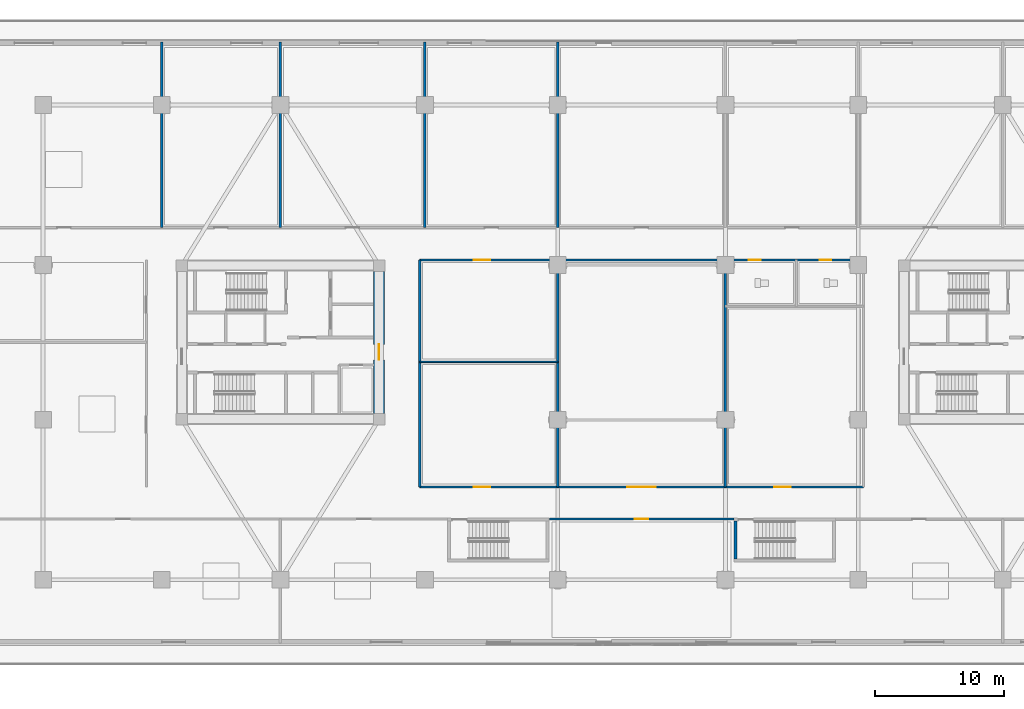
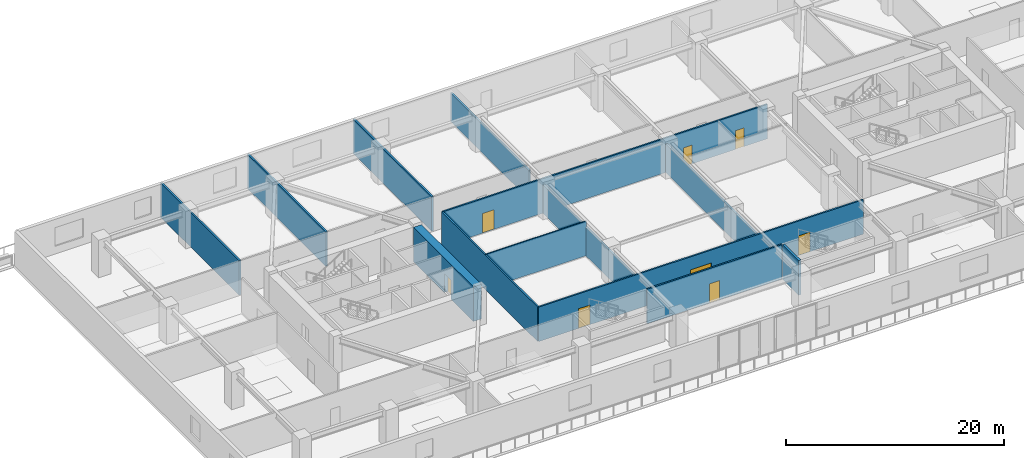
# One storey, part 7 of 22: 13 walls, 8 doors, 8 openings.
"""IFC4 building model written with IfcOpenShell, lengths in metres."""

from ifc_helpers import new_model, si_unit, direction, frame, frame_2d, origin, place, context, subcontext, project, spatial, rectangle, extrude, source, transform, mapped, material, layer, layer_set, type_object, type_shapes, element, fill, save


model = new_model("IFC4")

# Units and contexts
model_context = context("Model", 3, precision=1e-05, world=origin(), true_north=direction((0.0, 1.0)))
body_context = subcontext(model_context, "Body", "Model", "MODEL_VIEW")
ifc_project = project(units=[si_unit("LENGTHUNIT", "METRE"), si_unit("AREAUNIT", "SQUARE_METRE"), si_unit("VOLUMEUNIT", "CUBIC_METRE"), si_unit("PLANEANGLEUNIT", "RADIAN"), si_unit("MASSUNIT", "GRAM", prefix="KILO")], contexts=[model_context])

# Site, building, storey
site_placement = place(None, origin())
site = spatial("IfcSite", under=ifc_project, at=site_placement, CompositionType="ELEMENT")
building_placement = place(site_placement, origin())
building = spatial("IfcBuilding", under=site, at=building_placement, Name="Norrkilde Senior Care Towers", CompositionType="ELEMENT")
storey_placement = place(building_placement, frame((0.0, 0.0, 4.199951171875)))
storey = spatial("IfcBuildingStorey", under=building, at=storey_placement, Name="L01", CompositionType="ELEMENT", Elevation=4.199951171875)

# Wall, opening, door
ifc_material_1 = material(Name="Concrete C60/75", Category="concrete")
ifc_layer_1 = layer(ifc_material_1, 0.85009765625)
ifc_layer_set_1 = layer_set([ifc_layer_1], Name="Concrete C60/75")
wall_type_1 = type_object("IfcWallType", Name="Core Shear Wall Z1 850", PredefinedType="SHEAR", material=ifc_layer_set_1)
shared_shape_1 = source(origin(), body_context, "Body", "SweptSolid", [
    extrude(rectangle(XDim=11.0, YDim=0.85009765625, at=frame_2d((5.5, 0.0))), origin(), (0.0, 0.0, 1.0), 3.880126953125),
])
type_shapes(wall_type_1, [shared_shape_1])
wall_1_placement = place(storey_placement, frame((-20.35009765625, 5.5, 0.0), z_axis=(0.0, 0.0, 1.0), x_axis=(0.0, -1.0, 0.0)))
wall_1 = element("IfcWall", 1, at=wall_1_placement, inside=storey, type_object=wall_type_1, Name="L01 Core W East Shear Wall", PredefinedType="SHEAR", context=body_context, shape_type="MappedRepresentation", body=[
    mapped(shared_shape_1, transform((0.0, 0.0, 0.0), x_axis=(1.0, 0.0, 0.0), y_axis=(0.0, 1.0, 0.0), z_axis=(0.0, 0.0, 1.0), scale=1.0)),
])
opening_1_placement = place(wall_1_placement, frame((5.64990234375, 0.0, 0.0)))
opening_1 = element("IfcOpeningElement", 2, at=opening_1_placement, cuts=wall_1, Name="Opening D-04", PredefinedType="OPENING", context=body_context, shape_type="SweptSolid", body=[
    extrude(rectangle(XDim=1.199951171875, YDim=2.14990234375, at=frame_2d((0.60009765625, 1.074951171875))), frame((0.0, 0.43505859375, 0.0), z_axis=(0.0, -1.0, 0.0), x_axis=(1.0, 0.0, 0.0)), (0.0, 0.0, 1.0), 0.8701171875),
])
ifc_material_2 = material(Name="Galvanised Painted Steel", Category="steel")
door_type_1 = type_object("IfcDoorType", Name="Firefighting Lobby Fire Door 1200x2150", OperationType="NOTDEFINED", PredefinedType="DOOR", material=ifc_material_2)
shared_shape_2 = source(origin(), body_context, "Body", "SweptSolid", [
    extrude(rectangle(XDim=1.199951171875, YDim=2.14990234375, at=frame_2d((0.60009765625, 1.074951171875))), frame((0.0, 0.02490234375, 0.0), z_axis=(0.0, -1.0, 0.0), x_axis=(1.0, 0.0, 0.0)), (0.0, 0.0, 1.0), 0.050048828125),
])
type_shapes(door_type_1, [shared_shape_2])
door_1_placement = place(opening_1_placement, frame((1.199951171875, 0.0, 0.0), z_axis=(0.0, 0.0, 1.0), x_axis=(-1.0, 0.0, 0.0)))
door_1 = element("IfcDoor", 3, at=door_1_placement, inside=storey, type_object=door_type_1, Name="L01 Core W East Portal Door", OperationType="SINGLE_SWING_RIGHT", OverallHeight=2.14990234375, OverallWidth=1.199951171875, PredefinedType="DOOR", context=body_context, shape_type="MappedRepresentation", body=[
    mapped(shared_shape_2, transform((0.0, 0.0, 0.0), x_axis=(1.0, 0.0, 0.0), y_axis=(0.0, 1.0, 0.0), z_axis=(0.0, 0.0, 1.0), scale=1.0)),
])
fill(opening_1, door_1)

# Wall
ifc_material_3 = material(Name="Gypsum Acoustic Board")
ifc_layer_2 = layer(ifc_material_3, 0.1650390625)
ifc_layer_set_2 = layer_set([ifc_layer_2], Name="Gypsum Acoustic Board")
wall_type_2 = type_object("IfcWallType", Name="Corridor Rated Partition 165", PredefinedType="PARTITIONING", material=ifc_layer_set_2)
shared_shape_3 = source(origin(), body_context, "Body", "SweptSolid", [
    extrude(rectangle(XDim=17.599853515625, YDim=0.1650390625, at=frame_2d((8.7998046875, 0.0))), origin(), (0.0, 0.0, 1.0), 3.864990234375),
])
wall_2_placement = place(storey_placement, frame((-17.199951171875, -11.199951171875, 0.0), z_axis=(0.0, 0.0, 1.0), x_axis=(0.0, 1.0, 0.0)))
element("IfcWall", 4, at=wall_2_placement, inside=storey, type_object=wall_type_2, Name="WL-INT-L01-POD-W", PredefinedType="PARTITIONING", context=body_context, shape_type="MappedRepresentation", body=[
    mapped(shared_shape_3, transform((0.0, 0.0, 0.0), x_axis=(1.0, 0.0, 0.0), y_axis=(0.0, 1.0, 0.0), z_axis=(0.0, 0.0, 1.0), scale=1.0)),
])

# Wall, openings, doors
shared_shape_4 = source(origin(), body_context, "Body", "SweptSolid", [
    extrude(rectangle(XDim=34.39990234375, YDim=0.1650390625, at=frame_2d((17.199951171875, 0.0))), origin(), (0.0, 0.0, 1.0), 3.864990234375),
])
wall_3_placement = place(storey_placement, frame((-17.199951171875, -11.199951171875, 0.0), z_axis=(0.0, 0.0, 1.0), x_axis=(1.0, 0.0, 0.0)))
wall_3 = element("IfcWall", 5, at=wall_3_placement, inside=storey, type_object=wall_type_2, Name="WL-INT-L01-POD-CS", PredefinedType="PARTITIONING", context=body_context, shape_type="MappedRepresentation", body=[
    mapped(shared_shape_4, transform((0.0, 0.0, 0.0), x_axis=(1.0, 0.0, 0.0), y_axis=(0.0, 1.0, 0.0), z_axis=(0.0, 0.0, 1.0), scale=1.0)),
])
opening_2_placement = place(wall_3_placement, frame((4.199951171875, 0.0, 0.0)))
opening_2 = element("IfcOpeningElement", 6, at=opening_2_placement, cuts=wall_3, Name="Opening D-05", PredefinedType="OPENING", context=body_context, shape_type="SweptSolid", body=[
    extrude(rectangle(XDim=1.25, YDim=2.199951171875, at=frame_2d((0.625, 1.10009765625))), frame((0.0, 0.092529296875, 0.0), z_axis=(0.0, -1.0, 0.0), x_axis=(1.0, 0.0, 0.0)), (0.0, 0.0, 1.0), 0.18505859375),
])
opening_3_placement = place(wall_3_placement, frame((16.10009765625, 0.0, 0.0)))
opening_3 = element("IfcOpeningElement", 7, at=opening_3_placement, cuts=wall_3, Name="Opening D-01I", PredefinedType="OPENING", context=body_context, shape_type="SweptSolid", body=[
    extrude(rectangle(XDim=2.199951171875, YDim=2.39990234375, at=frame_2d((1.10009765625, 1.199951171875))), frame((0.0, 0.092529296875, 0.0), z_axis=(0.0, -1.0, 0.0), x_axis=(1.0, 0.0, 0.0)), (0.0, 0.0, 1.0), 0.18505859375),
])
opening_4_placement = place(wall_3_placement, frame((27.5, 0.0, 0.0)))
opening_4 = element("IfcOpeningElement", 8, at=opening_4_placement, cuts=wall_3, Name="Opening D-05", PredefinedType="OPENING", context=body_context, shape_type="SweptSolid", body=[
    extrude(rectangle(XDim=1.25, YDim=2.199951171875, at=frame_2d((0.625, 1.10009765625))), frame((0.0, 0.092529296875, 0.0), z_axis=(0.0, -1.0, 0.0), x_axis=(1.0, 0.0, 0.0)), (0.0, 0.0, 1.0), 0.18505859375),
])
ifc_material_4 = material(Name="Nordic Ash Timber", Category="wood")
door_type_2 = type_object("IfcDoorType", Name="Care Bedroom Bariatric Door 1250x2200", OperationType="NOTDEFINED", PredefinedType="DOOR", material=ifc_material_4)
shared_shape_5 = source(origin(), body_context, "Body", "SweptSolid", [
    extrude(rectangle(XDim=1.25, YDim=2.199951171875, at=frame_2d((0.625, 1.10009765625))), frame((0.0, 0.02490234375, 0.0), z_axis=(0.0, -1.0, 0.0), x_axis=(1.0, 0.0, 0.0)), (0.0, 0.0, 1.0), 0.050048828125),
])
type_shapes(door_type_2, [shared_shape_5])
door_2_placement = place(opening_2_placement, origin())
door_2 = element("IfcDoor", 9, at=door_2_placement, inside=storey, type_object=door_type_2, Name="L01 Clinic West South Door", OperationType="SINGLE_SWING_LEFT", OverallHeight=2.199951171875, OverallWidth=1.25, PredefinedType="DOOR", context=body_context, shape_type="MappedRepresentation", body=[
    mapped(shared_shape_5, transform((0.0, 0.0, 0.0), x_axis=(1.0, 0.0, 0.0), y_axis=(0.0, 1.0, 0.0), z_axis=(0.0, 0.0, 1.0), scale=1.0)),
])
fill(opening_2, door_2)
door_3_placement = place(opening_4_placement, origin())
door_3 = element("IfcDoor", 10, at=door_3_placement, inside=storey, type_object=door_type_2, Name="L01 Clinic East South Door", OperationType="SINGLE_SWING_RIGHT", OverallHeight=2.199951171875, OverallWidth=1.25, PredefinedType="DOOR", context=body_context, shape_type="MappedRepresentation", body=[
    mapped(shared_shape_5, transform((0.0, 0.0, 0.0), x_axis=(1.0, 0.0, 0.0), y_axis=(0.0, 1.0, 0.0), z_axis=(0.0, 0.0, 1.0), scale=1.0)),
])
fill(opening_4, door_3)
ifc_material_5 = material(Name="Anodised Aluminium", Category="aluminium")
door_type_3 = type_object("IfcDoorType", Name="Interior Vestibule Double Glazed Door 2200x2400", OperationType="NOTDEFINED", PredefinedType="DOOR", material=ifc_material_5)
shared_shape_6 = source(origin(), body_context, "Body", "SweptSolid", [
    extrude(rectangle(XDim=2.199951171875, YDim=2.39990234375, at=frame_2d((1.10009765625, 1.199951171875))), frame((0.0, 0.02490234375, 0.0), z_axis=(0.0, -1.0, 0.0), x_axis=(1.0, 0.0, 0.0)), (0.0, 0.0, 1.0), 0.050048828125),
])
type_shapes(door_type_3, [shared_shape_6])
door_4_placement = place(opening_3_placement, origin())
door_4 = element("IfcDoor", 11, at=door_4_placement, inside=storey, type_object=door_type_3, Name="L01 Central Hall South Door", OperationType="DOUBLE_DOOR_SINGLE_SWING", OverallHeight=2.39990234375, OverallWidth=2.199951171875, PredefinedType="DOOR", context=body_context, shape_type="MappedRepresentation", body=[
    mapped(shared_shape_6, transform((0.0, 0.0, 0.0), x_axis=(1.0, 0.0, 0.0), y_axis=(0.0, 1.0, 0.0), z_axis=(0.0, 0.0, 1.0), scale=1.0)),
])
fill(opening_3, door_4)

wall_4_placement = place(storey_placement, frame((-17.199951171875, 6.39990234375, 0.0), z_axis=(0.0, 0.0, 1.0), x_axis=(1.0, 0.0, 0.0)))
wall_4 = element("IfcWall", 12, at=wall_4_placement, inside=storey, type_object=wall_type_2, Name="WL-INT-L01-POD-CN", PredefinedType="PARTITIONING", context=body_context, shape_type="MappedRepresentation", body=[
    mapped(shared_shape_4, transform((0.0, 0.0, 0.0), x_axis=(1.0, 0.0, 0.0), y_axis=(0.0, 1.0, 0.0), z_axis=(0.0, 0.0, 1.0), scale=1.0)),
])
opening_5_placement = place(wall_4_placement, frame((4.199951171875, 0.0, 0.0)))
opening_5 = element("IfcOpeningElement", 13, at=opening_5_placement, cuts=wall_4, Name="Opening D-05", PredefinedType="OPENING", context=body_context, shape_type="SweptSolid", body=[
    extrude(rectangle(XDim=1.25, YDim=2.199951171875, at=frame_2d((0.625, 1.10009765625))), frame((0.0, 0.092529296875, 0.0), z_axis=(0.0, -1.0, 0.0), x_axis=(1.0, 0.0, 0.0)), (0.0, 0.0, 1.0), 0.18505859375),
])
opening_6_placement = place(wall_4_placement, frame((25.5, 0.0, 0.0)))
opening_6 = element("IfcOpeningElement", 14, at=opening_6_placement, cuts=wall_4, Name="Opening D-08", PredefinedType="OPENING", context=body_context, shape_type="SweptSolid", body=[
    extrude(rectangle(XDim=0.919921875, YDim=2.10009765625, at=frame_2d((0.4599609375, 1.050048828125))), frame((0.0, 0.092529296875, 0.0), z_axis=(0.0, -1.0, 0.0), x_axis=(1.0, 0.0, 0.0)), (0.0, 0.0, 1.0), 0.18505859375),
])
opening_7_placement = place(wall_4_placement, frame((31.0, 0.0, 0.0)))
opening_7 = element("IfcOpeningElement", 15, at=opening_7_placement, cuts=wall_4, Name="Opening D-08", PredefinedType="OPENING", context=body_context, shape_type="SweptSolid", body=[
    extrude(rectangle(XDim=0.919921875, YDim=2.10009765625, at=frame_2d((0.4599609375, 1.050048828125))), frame((0.0, 0.092529296875, 0.0), z_axis=(0.0, -1.0, 0.0), x_axis=(1.0, 0.0, 0.0)), (0.0, 0.0, 1.0), 0.18505859375),
])
door_5_placement = place(opening_5_placement, frame((1.25, 0.0, 0.0), z_axis=(0.0, 0.0, 1.0), x_axis=(-1.0, 0.0, 0.0)))
door_5 = element("IfcDoor", 16, at=door_5_placement, inside=storey, type_object=door_type_2, Name="L01 Clinic West North Door", OperationType="SINGLE_SWING_RIGHT", OverallHeight=2.199951171875, OverallWidth=1.25, PredefinedType="DOOR", context=body_context, shape_type="MappedRepresentation", body=[
    mapped(shared_shape_5, transform((0.0, 0.0, 0.0), x_axis=(1.0, 0.0, 0.0), y_axis=(0.0, 1.0, 0.0), z_axis=(0.0, 0.0, 1.0), scale=1.0)),
])
fill(opening_5, door_5)
door_type_4 = type_object("IfcDoorType", Name="Accessible Wet Room Door 920x2100", OperationType="NOTDEFINED", PredefinedType="DOOR", material=ifc_material_4)
shared_shape_7 = source(origin(), body_context, "Body", "SweptSolid", [
    extrude(rectangle(XDim=0.919921875, YDim=2.10009765625, at=frame_2d((0.4599609375, 1.050048828125))), frame((0.0, 0.02490234375, 0.0), z_axis=(0.0, -1.0, 0.0), x_axis=(1.0, 0.0, 0.0)), (0.0, 0.0, 1.0), 0.050048828125),
])
type_shapes(door_type_4, [shared_shape_7])
door_6_placement = place(opening_6_placement, frame((0.919921875, 0.0, 0.0), z_axis=(0.0, 0.0, 1.0), x_axis=(-1.0, 0.0, 0.0)))
door_6 = element("IfcDoor", 17, at=door_6_placement, inside=storey, type_object=door_type_4, Name="L01 Accessible WC Door", OperationType="SINGLE_SWING_LEFT", OverallHeight=2.10009765625, OverallWidth=0.919921875, PredefinedType="DOOR", context=body_context, shape_type="MappedRepresentation", body=[
    mapped(shared_shape_7, transform((0.0, 0.0, 0.0), x_axis=(1.0, 0.0, 0.0), y_axis=(0.0, 1.0, 0.0), z_axis=(0.0, 0.0, 1.0), scale=1.0)),
])
fill(opening_6, door_6)
door_7_placement = place(opening_7_placement, frame((0.919921875, 0.0, 0.0), z_axis=(0.0, 0.0, 1.0), x_axis=(-1.0, 0.0, 0.0)))
door_7 = element("IfcDoor", 18, at=door_7_placement, inside=storey, type_object=door_type_4, Name="L01 Public Restroom Door", OperationType="SINGLE_SWING_RIGHT", OverallHeight=2.10009765625, OverallWidth=0.919921875, PredefinedType="DOOR", context=body_context, shape_type="MappedRepresentation", body=[
    mapped(shared_shape_7, transform((0.0, 0.0, 0.0), x_axis=(1.0, 0.0, 0.0), y_axis=(0.0, 1.0, 0.0), z_axis=(0.0, 0.0, 1.0), scale=1.0)),
])
fill(opening_7, door_7)

# Walls
ifc_layer_3 = layer(ifc_material_3, 0.18994140625)
ifc_layer_set_3 = layer_set([ifc_layer_3], Name="Gypsum Acoustic Board")
wall_type_3 = type_object("IfcWallType", Name="Unit Demising Acoustic Wall 190", PredefinedType="PARTITIONING", material=ifc_layer_set_3)
shared_shape_8 = source(origin(), body_context, "Body", "SweptSolid", [
    extrude(rectangle(XDim=17.599853515625, YDim=0.18994140625, at=frame_2d((8.7998046875, 0.0))), origin(), (0.0, 0.0, 1.0), 3.215087890625),
])
for number, where, z_axis, x_axis, name in (
    (19, (-6.5, -11.199951171875, 0.0), (0.0, 0.0, 1.0), (0.0, 1.0, 0.0), "WL-INT-L01-POD-M1"),
    (20, (6.5, -11.199951171875, 0.0), (0.0, 0.0, 1.0), (0.0, 1.0, 0.0), "WL-INT-L01-POD-M2"),
):
    element("IfcWall", number, at=place(storey_placement, frame(where, z_axis=z_axis, x_axis=x_axis)), inside=storey, type_object=wall_type_3, Name=name, PredefinedType="PARTITIONING", context=body_context, shape_type="MappedRepresentation", body=[
        mapped(shared_shape_8, transform((0.0, 0.0, 0.0), x_axis=(1.0, 0.0, 0.0), y_axis=(0.0, 1.0, 0.0), z_axis=(0.0, 0.0, 1.0), scale=1.0)),
    ])
ifc_layer_4 = layer(ifc_material_3, 0.114990234375)
ifc_layer_set_4 = layer_set([ifc_layer_4], Name="Gypsum Acoustic Board")
wall_type_4 = type_object("IfcWallType", Name="Internal Room Partition 115", PredefinedType="PARTITIONING", material=ifc_layer_set_4)
shared_shape_9 = source(origin(), body_context, "Body", "SweptSolid", [
    extrude(rectangle(XDim=10.699951171875, YDim=0.114990234375, at=frame_2d((5.35009765625, 0.0))), origin(), (0.0, 0.0, 1.0), 3.864990234375),
])
type_shapes(wall_type_4, [shared_shape_9])
wall_5_placement = place(storey_placement, frame((-17.199951171875, -1.5, 0.0), z_axis=(0.0, 0.0, 1.0), x_axis=(1.0, 0.0, 0.0)))
element("IfcWall", 21, at=wall_5_placement, inside=storey, type_object=wall_type_4, Name="WL-INT-L01-POD-SL", PredefinedType="PARTITIONING", context=body_context, shape_type="MappedRepresentation", body=[
    mapped(shared_shape_9, transform((0.0, 0.0, 0.0), x_axis=(1.0, 0.0, 0.0), y_axis=(0.0, 1.0, 0.0), z_axis=(0.0, 0.0, 1.0), scale=1.0)),
])
ifc_material_6 = material(Name="Concrete C45/55", Category="concrete")
ifc_layer_5 = layer(ifc_material_6, 0.239990234375)
ifc_layer_set_5 = layer_set([ifc_layer_5], Name="Concrete C45/55")
wall_type_5 = type_object("IfcWallType", Name="Shaft and Stair Enclosure Wall 240", PredefinedType="PARTITIONING", material=ifc_layer_set_5)
shared_shape_10 = source(origin(), body_context, "Body", "SweptSolid", [
    extrude(rectangle(XDim=2.949951171875, YDim=0.239990234375, at=frame_2d((1.47509765625, 0.0))), origin(), (0.0, 0.0, 1.0), 3.880126953125),
])
type_shapes(wall_type_5, [shared_shape_10])
wall_6_placement = place(storey_placement, frame((7.280029296875, -16.800048828125, 0.0), z_axis=(0.0, 0.0, 1.0), x_axis=(0.0, 1.0, 0.0)))
element("IfcWall", 22, at=wall_6_placement, inside=storey, type_object=wall_type_5, Name="WL-INT-L01-STP2-W", PredefinedType="PARTITIONING", context=body_context, shape_type="MappedRepresentation", body=[
    mapped(shared_shape_10, transform((0.0, 0.0, 0.0), x_axis=(1.0, 0.0, 0.0), y_axis=(0.0, 1.0, 0.0), z_axis=(0.0, 0.0, 1.0), scale=1.0)),
])
shared_shape_11 = source(origin(), body_context, "Body", "SweptSolid", [
    extrude(rectangle(XDim=14.400146484375, YDim=0.18994140625, at=frame_2d((7.2001953125, 0.0))), origin(), (0.0, 0.0, 1.0), 3.864990234375),
])
for number, where, z_axis, x_axis, name in (
    (23, (-37.199951171875, 8.89990234375, 0.0), (0.0, 0.0, 1.0), (0.0, 1.0, 0.0), "WL-INT-L01-POD-NPV1"),
    (24, (-28.0, 8.89990234375, 0.0), (0.0, 0.0, 1.0), (0.0, 1.0, 0.0), "WL-INT-L01-POD-NPV2"),
    (25, (-16.800048828125, 8.89990234375, 0.0), (0.0, 0.0, 1.0), (0.0, 1.0, 0.0), "WL-INT-L01-POD-NPV3"),
):
    element("IfcWall", number, at=place(storey_placement, frame(where, z_axis=z_axis, x_axis=x_axis)), inside=storey, type_object=wall_type_3, Name=name, PredefinedType="PARTITIONING", context=body_context, shape_type="MappedRepresentation", body=[
        mapped(shared_shape_11, transform((0.0, 0.0, 0.0), x_axis=(1.0, 0.0, 0.0), y_axis=(0.0, 1.0, 0.0), z_axis=(0.0, 0.0, 1.0), scale=1.0)),
    ])
shared_shape_12 = source(origin(), body_context, "Body", "SweptSolid", [
    extrude(rectangle(XDim=14.400146484375, YDim=0.18994140625, at=frame_2d((7.2001953125, 0.0))), origin(), (0.0, 0.0, 1.0), 3.215087890625),
])
type_shapes(wall_type_3, [shared_shape_8, shared_shape_11, shared_shape_12])
wall_7_placement = place(storey_placement, frame((-6.5, 8.89990234375, 0.0), z_axis=(0.0, 0.0, 1.0), x_axis=(0.0, 1.0, 0.0)))
element("IfcWall", 26, at=wall_7_placement, inside=storey, type_object=wall_type_3, Name="WL-INT-L01-POD-NPV4", PredefinedType="PARTITIONING", context=body_context, shape_type="MappedRepresentation", body=[
    mapped(shared_shape_12, transform((0.0, 0.0, 0.0), x_axis=(1.0, 0.0, 0.0), y_axis=(0.0, 1.0, 0.0), z_axis=(0.0, 0.0, 1.0), scale=1.0)),
])

# Wall, opening, door
shared_shape_13 = source(origin(), body_context, "Body", "SweptSolid", [
    extrude(rectangle(XDim=14.2998046875, YDim=0.1650390625, at=frame_2d((7.14990234375, 0.0))), origin(), (0.0, 0.0, 1.0), 3.864990234375),
])
type_shapes(wall_type_2, [shared_shape_3, shared_shape_4, shared_shape_13])
wall_8_placement = place(storey_placement, frame((-7.14990234375, -13.699951171875, 0.0), z_axis=(0.0, 0.0, 1.0), x_axis=(1.0, 0.0, 0.0)))
wall_8 = element("IfcWall", 27, at=wall_8_placement, inside=storey, type_object=wall_type_2, Name="WL-INT-L01-POD-SPM", PredefinedType="PARTITIONING", context=body_context, shape_type="MappedRepresentation", body=[
    mapped(shared_shape_13, transform((0.0, 0.0, 0.0), x_axis=(1.0, 0.0, 0.0), y_axis=(0.0, 1.0, 0.0), z_axis=(0.0, 0.0, 1.0), scale=1.0)),
])
opening_8_placement = place(wall_8_placement, frame((6.625, 0.0, 0.0)))
opening_8 = element("IfcOpeningElement", 28, at=opening_8_placement, cuts=wall_8, Name="Opening D-06", PredefinedType="OPENING", context=body_context, shape_type="SweptSolid", body=[
    extrude(rectangle(XDim=1.050048828125, YDim=2.14990234375, at=frame_2d((0.52490234375, 1.074951171875))), frame((0.0, 0.092529296875, 0.0), z_axis=(0.0, -1.0, 0.0), x_axis=(1.0, 0.0, 0.0)), (0.0, 0.0, 1.0), 0.18505859375),
])
door_type_5 = type_object("IfcDoorType", Name="Apartment Entrance Fire Door 1050x2150", OperationType="NOTDEFINED", PredefinedType="DOOR", material=ifc_material_4)
shared_shape_14 = source(origin(), body_context, "Body", "SweptSolid", [
    extrude(rectangle(XDim=1.050048828125, YDim=2.14990234375, at=frame_2d((0.52490234375, 1.074951171875))), frame((0.0, 0.02490234375, 0.0), z_axis=(0.0, -1.0, 0.0), x_axis=(1.0, 0.0, 0.0)), (0.0, 0.0, 1.0), 0.050048828125),
])
type_shapes(door_type_5, [shared_shape_14])
door_8_placement = place(opening_8_placement, frame((1.050048828125, 0.0, 0.0), z_axis=(0.0, 0.0, 1.0), x_axis=(-1.0, 0.0, 0.0)))
door_8 = element("IfcDoor", 29, at=door_8_placement, inside=storey, type_object=door_type_5, Name="L01 South Suite SMID Door", OperationType="SINGLE_SWING_LEFT", OverallHeight=2.14990234375, OverallWidth=1.050048828125, PredefinedType="DOOR", context=body_context, shape_type="MappedRepresentation", body=[
    mapped(shared_shape_14, transform((0.0, 0.0, 0.0), x_axis=(1.0, 0.0, 0.0), y_axis=(0.0, 1.0, 0.0), z_axis=(0.0, 0.0, 1.0), scale=1.0)),
])
fill(opening_8, door_8)

save(model, "model.ifc")
